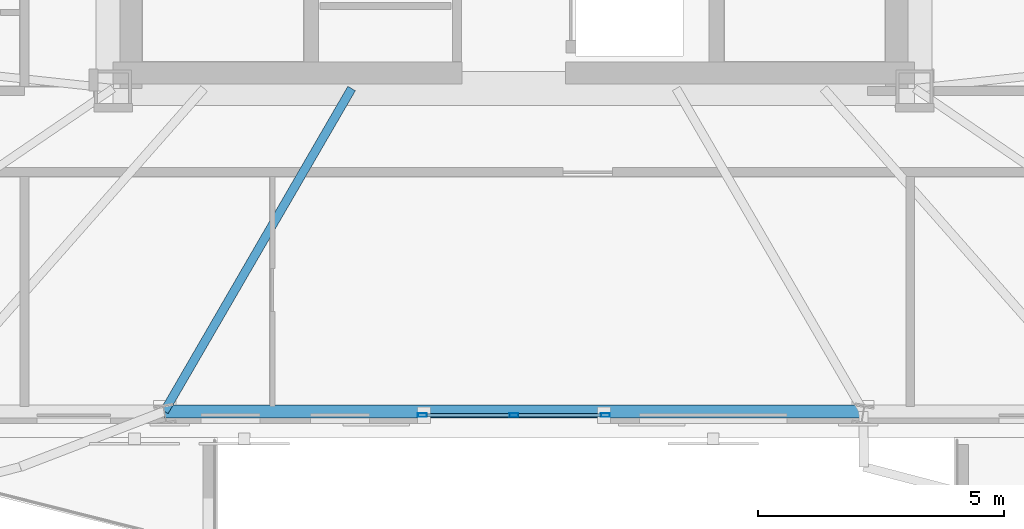
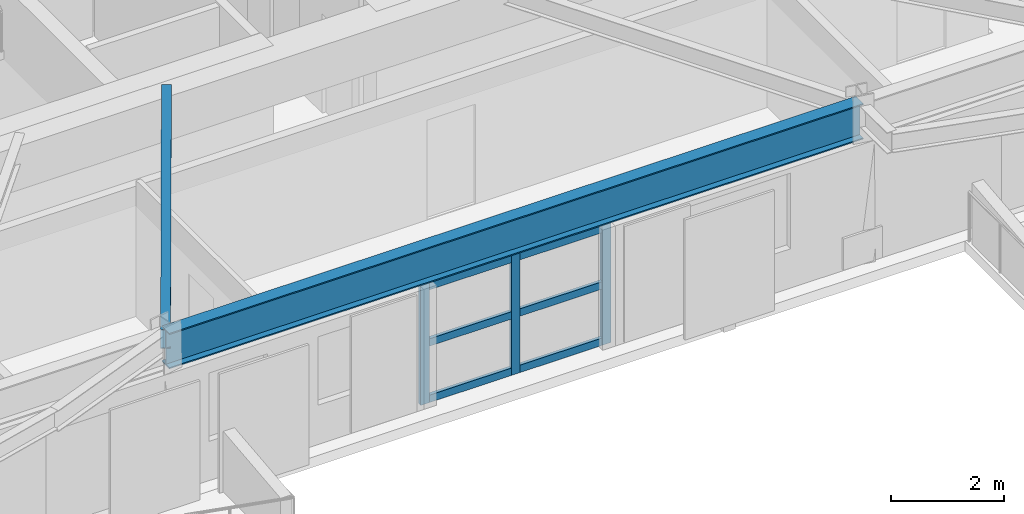
# One storey, part 2 of 14: 9 members, 2 beams, 1 element without a shape of its own.
"""IFC4 building model written with IfcOpenShell, lengths in metres."""

import ifcopenshell
import ifcopenshell.guid

model = None  # the IFC model being written
_history = None  # IfcOwnerHistory: only IFC2X3 demands one
_inside = {}  # id of a spatial element -> (the spatial element, [elements in it])
_under = {}  # id of a project, library or spatial element -> (it, [spatial elements below it])
_declared = {}  # id of a project -> (the project, [libraries it declares])
_typed = {}  # id of a type object -> (the type object, [elements of that type])
_made_of = {}  # id of a material, layer set ... -> (it, [elements and type objects made of it])


def new_model(schema):
    """Start an empty IFC model of exactly this schema.

    Asked for "IFC4X3", IfcOpenShell would pick the latest addendum, in which some entities
    have other attributes; the version numbers below select the first issue.
    IFC2X3 requires an IfcOwnerHistory on every rooted entity: one is made here for all.
    """
    global model, _history
    if schema == "IFC4X3":
        model = ifcopenshell.file(schema_version=(4, 3, 0, 0))
    else:
        model = ifcopenshell.file(schema=schema)
    _inside.clear()
    _under.clear()
    _declared.clear()
    _typed.clear()
    _made_of.clear()
    _history = None
    if model.schema == "IFC2X3":
        org = make("IfcOrganization", Name="unknown")
        user = make(
            "IfcPersonAndOrganization",
            ThePerson=make("IfcPerson", FamilyName="unknown"),
            TheOrganization=org,
        )
        app = make(
            "IfcApplication",
            ApplicationDeveloper=org,
            Version="unknown",
            ApplicationFullName="unknown",
            ApplicationIdentifier="unknown",
        )
        _history = make(
            "IfcOwnerHistory",
            OwningUser=user,
            OwningApplication=app,
            ChangeAction="ADDED",
            CreationDate=0,
        )
    return model


def make(cls, **values):
    """One entity of the class cls with the attributes given. An attribute that is None is left unset."""
    return model.create_entity(
        cls, **{name: value for name, value in values.items() if value is not None}
    )


def rooted(cls, **values):
    """An entity with a GlobalId (a new one), such as an element, a storey or a relation."""
    return make(cls, GlobalId=ifcopenshell.guid.new(), OwnerHistory=_history, **values)


def si_unit(unit_type, name, prefix=None):
    """IfcSIUnit, for example si_unit("LENGTHUNIT", "METRE", prefix="MILLI")."""
    return make("IfcSIUnit", UnitType=unit_type, Prefix=prefix, Name=name)


def assignment(units):
    """IfcUnitAssignment: the units of a project."""
    return None if units is None else make("IfcUnitAssignment", Units=units)


def point(xyz):
    """IfcCartesianPoint."""
    return None if xyz is None else make("IfcCartesianPoint", Coordinates=xyz)


def direction(xyz):
    """IfcDirection."""
    return None if xyz is None else make("IfcDirection", DirectionRatios=xyz)


def frame(location, z_axis=None, x_axis=None):
    """IfcAxis2Placement3D, a coordinate frame: its origin and axes. An axis left out is left unset."""
    return make(
        "IfcAxis2Placement3D",
        Location=point(location),
        Axis=direction(z_axis),
        RefDirection=direction(x_axis),
    )


def frame_2d(location, x_axis=None):
    """IfcAxis2Placement2D, a coordinate frame in the plane: its origin and x axis."""
    return make(
        "IfcAxis2Placement2D", Location=point(location), RefDirection=direction(x_axis)
    )


def origin():
    """The frame at (0, 0, 0) with its axes left unset."""
    return frame((0.0, 0.0, 0.0))


def origin_2d():
    """The frame at (0, 0) in the plane with its x axis left unset."""
    return frame_2d((0.0, 0.0))


def place(relative_to, where):
    """IfcLocalPlacement: puts the frame where relative to a parent placement (None: the world)."""
    return make(
        "IfcLocalPlacement", PlacementRelTo=relative_to, RelativePlacement=where
    )


def context(
    kind, dimensions, precision=None, world=None, true_north=None, identifier=None
):
    """IfcGeometricRepresentationContext, for example the 3D "Model" context."""
    return make(
        "IfcGeometricRepresentationContext",
        ContextIdentifier=identifier,
        ContextType=kind,
        CoordinateSpaceDimension=dimensions,
        Precision=precision,
        WorldCoordinateSystem=world,
        TrueNorth=true_north,
    )


def subcontext(parent, identifier, kind, view, scale=None):
    """IfcGeometricRepresentationSubContext, for example "Body" below "Model"."""
    return make(
        "IfcGeometricRepresentationSubContext",
        ContextIdentifier=identifier,
        ContextType=kind,
        ParentContext=parent,
        TargetScale=scale,
        TargetView=view,
    )


def project(units=None, contexts=None):
    """IfcProject with its units and contexts."""
    return rooted(
        "IfcProject",
        Name="project",
        RepresentationContexts=contexts,
        UnitsInContext=assignment(units),
    )


def spatial(cls, under=None, at=None, **own):
    """A site, building, storey or space (cls), placed at a placement, below another one or the project."""
    s = rooted(cls, ObjectPlacement=at, **own)
    if under is not None:
        _under.setdefault(under.id(), (under, []))[1].append(s)
    return s


def profile(cls, at=None, kind="AREA", **sizes):
    """A parametric profile (cls). Its sizes go by their IFC names, for example OverallWidth=200.0."""
    return make(cls, ProfileType=kind, Position=at, **sizes)


def hollow_rectangle(**sizes):
    """IfcRectangleHollowProfileDef."""
    return profile("IfcRectangleHollowProfileDef", **sizes)


def i_section(**sizes):
    """IfcIShapeProfileDef."""
    return profile("IfcIShapeProfileDef", **sizes)


def extrude(swept, where, along, depth):
    """IfcExtrudedAreaSolid: the profile swept, set in the frame where, extruded along a direction by depth."""
    return make(
        "IfcExtrudedAreaSolid",
        SweptArea=swept,
        Position=where,
        ExtrudedDirection=direction(along),
        Depth=depth,
    )


def shape(context_of_items, identifier, shape_type, items):
    """IfcShapeRepresentation: the items that make up one representation, for example the "Body"."""
    return make(
        "IfcShapeRepresentation",
        ContextOfItems=context_of_items,
        RepresentationIdentifier=identifier,
        RepresentationType=shape_type,
        Items=items,
    )


def material(Name=None, Category=None):
    """IfcMaterial."""
    return make("IfcMaterial", Name=Name, Category=Category)


def layer(
    of_material, thickness, ventilated=None, Name=None, Category=None, Priority=None
):
    """IfcMaterialLayer: one layer of a wall or slab, of a material (None: an air gap)."""
    return make(
        "IfcMaterialLayer",
        Material=of_material,
        LayerThickness=thickness,
        IsVentilated=ventilated,
        Name=Name,
        Category=Category,
        Priority=Priority,
    )


def layer_set(layers, Name=None):
    """IfcMaterialLayerSet."""
    return make("IfcMaterialLayerSet", MaterialLayers=layers, LayerSetName=Name)


def material_profile(
    of_material, cross_section, Name=None, Category=None, Priority=None
):
    """IfcMaterialProfile: a cross section and its material."""
    return make(
        "IfcMaterialProfile",
        Name=Name,
        Material=of_material,
        Profile=cross_section,
        Priority=Priority,
        Category=Category,
    )


def profile_set(profiles, Name=None, composite=None):
    """IfcMaterialProfileSet."""
    return make(
        "IfcMaterialProfileSet",
        Name=Name,
        MaterialProfiles=profiles,
        CompositeProfile=composite,
    )


def made_of(thing, what):
    """Note that an element or type object is made of a material, layer set ...; save() writes the relation."""
    if what is not None:
        _made_of.setdefault(what.id(), (what, []))[1].append(thing)
    return thing


def type_object(cls, material=None, **own):
    """A type object (cls), such as IfcWallType, which elements share."""
    return made_of(rooted(cls, **own), material)


def element(
    cls,
    number,
    at=None,
    inside=None,
    cuts=None,
    type_object=None,
    material=None,
    context=None,
    identifier="Body",
    shape_type=None,
    held_by="IfcProductDefinitionShape",
    body=None,
    shapes=None,
    **own,
):
    """One element of the class cls, such as IfcWall. Its Tag is "e" and its number.

    at: its placement. inside: the storey or other place that contains it. cuts: it is an
    opening in that element (IfcRelVoidsElement). A single representation is given by context,
    identifier, shape_type and body (its items); several are given by shapes. held_by: the class
    of the entity that holds the representations. save() writes the other relations.
    """
    e = rooted(cls, Tag="e%d" % number, ObjectPlacement=at, **own)
    if body is not None:
        shapes = [shape(context, identifier, shape_type, body)]
    if shapes is not None:
        e.Representation = make(held_by, Representations=shapes)
    if inside is not None:
        _inside.setdefault(inside.id(), (inside, []))[1].append(e)
    if cuts is not None:
        rooted(
            "IfcRelVoidsElement", RelatingBuildingElement=cuts, RelatedOpeningElement=e
        )
    if type_object is not None:
        _typed.setdefault(type_object.id(), (type_object, []))[1].append(e)
    return made_of(e, material)


def aggregate(whole, parts):
    """IfcRelAggregates: a whole, such as a stair, and the parts it consists of."""
    return rooted("IfcRelAggregates", RelatingObject=whole, RelatedObjects=parts)


def save(model, path):
    """Write the relations noted so far, then the file.

    IfcRelAggregates (storeys below a building ...), IfcRelContainedInSpatialStructure (elements
    in a storey), IfcRelDefinesByType, IfcRelAssociatesMaterial and IfcRelDeclares: one each for
    every whole, place, type object, material and project.
    """
    for whole, parts in _under.values():
        aggregate(whole, parts)
    for where, things in _inside.values():
        rooted(
            "IfcRelContainedInSpatialStructure",
            RelatedElements=things,
            RelatingStructure=where,
        )
    for kind, things in _typed.values():
        rooted("IfcRelDefinesByType", RelatedObjects=things, RelatingType=kind)
    for what, things in _made_of.values():
        rooted("IfcRelAssociatesMaterial", RelatedObjects=things, RelatingMaterial=what)
    for by, libraries in _declared.values():
        rooted("IfcRelDeclares", RelatingContext=by, RelatedDefinitions=libraries)
    model.write(path)


model = new_model("IFC4")

# Units and contexts
model_context = context("Model", 3, precision=1e-05, world=origin(), true_north=direction((0.0, 1.0)))
body_context = subcontext(model_context, "Body", "Model", "MODEL_VIEW")
ifc_project = project(units=[si_unit("LENGTHUNIT", "METRE"), si_unit("AREAUNIT", "SQUARE_METRE"), si_unit("VOLUMEUNIT", "CUBIC_METRE"), si_unit("PLANEANGLEUNIT", "RADIAN"), si_unit("MASSUNIT", "GRAM", prefix="KILO")], contexts=[model_context])

# Site, building, storey
site_placement = place(None, origin())
site = spatial("IfcSite", under=ifc_project, at=site_placement, CompositionType="ELEMENT")
building_placement = place(site_placement, origin())
building = spatial("IfcBuilding", under=site, at=building_placement, Name="Oramaril Tower", CompositionType="ELEMENT")
storey_placement = place(building_placement, frame((0.0, 0.0, 149.39990234375)))
storey = spatial("IfcBuildingStorey", under=building, at=storey_placement, Name="L39", CompositionType="ELEMENT", Elevation=149.39990234375)

# Beams
ifc_material_1 = material(Name="Steel ASTM A572 Gr 50", Category="steel")
ifc_material_profile_1 = material_profile(ifc_material_1, i_section(OverallWidth=0.177978515625, OverallDepth=0.404052734375, WebThickness=0.007568359375, FlangeThickness=0.010986328125, at=origin_2d()), Name="W16X36")
ifc_profile_set_1 = profile_set([ifc_material_profile_1], Name="Steel ASTM A572 Gr 50")
beam_type_1 = type_object("IfcBeamType", Name="BT-SB1", PredefinedType="BEAM", material=ifc_profile_set_1)
beam_1_placement = place(storey_placement, frame((34.199951171875, 11.0, 3.177978515625), z_axis=(-0.501681505075, -0.865052407352, 0.0), x_axis=(0.865052407352, -0.501681505075, 0.0)))
element("IfcBeam", 1, at=beam_1_placement, inside=storey, type_object=beam_type_1, Name="L39 Secondary Floor Beam SB-02", PredefinedType="BEAM", context=body_context, shape_type="SweptSolid", body=[
    extrude(i_section(OverallWidth=0.177978515625, OverallDepth=0.404052734375, WebThickness=0.007568359375, FlangeThickness=0.010986328125, at=origin_2d()), origin(), (0.0, 0.0, 1.0), 7.590087890625),
])
ifc_material_2 = material(Name="Steel ASTM A572 Gr 50", Category="steel")
ifc_material_profile_2 = material_profile(ifc_material_2, i_section(OverallWidth=0.26708984375, OverallDepth=0.77001953125, WebThickness=0.015625, FlangeThickness=0.025390625, at=origin_2d()), Name="W30X132")
ifc_profile_set_2 = profile_set([ifc_material_profile_2], Name="Steel ASTM A572 Gr 50")
beam_type_2 = type_object("IfcBeamType", Name="BT-SP3", PredefinedType="SPANDREL", material=ifc_profile_set_2)
beam_2_placement = place(storey_placement, frame((30.39208984375, 4.43408203125, 2.9951171875), z_axis=(1.0, 0.0, 0.0), x_axis=(0.0, 1.0, 0.0)))
element("IfcBeam", 2, at=beam_2_placement, inside=storey, type_object=beam_type_2, Name="L39 Perimeter Spandrel 04", PredefinedType="SPANDREL", context=body_context, shape_type="SweptSolid", body=[
    extrude(i_section(OverallWidth=0.26708984375, OverallDepth=0.77001953125, WebThickness=0.015625, FlangeThickness=0.025390625, at=origin_2d()), origin(), (0.0, 0.0, 1.0), 14.2158203125),
])

# Curtain wall, members
ifc_material_3 = material(Name="Anodised Aluminium 6063-T6", Category="aluminium")
ifc_layer = layer(ifc_material_3, 0.179931640625)
ifc_layer_set = layer_set([ifc_layer], Name="CWT-SYS3")
curtain_wall_type = type_object("IfcCurtainWallType", Name="CWT-SYS3", PredefinedType="NOTDEFINED", material=ifc_layer_set)
curtain_wall_placement = place(storey_placement, origin())
curtain_wall = element("IfcCurtainWall", 3, at=curtain_wall_placement, inside=storey, type_object=curtain_wall_type, Name="L39 Unitised Curtain Wall CW-3", PredefinedType="NOTDEFINED")
ifc_material_4 = material(Name="Anodised Aluminium 6063-T6", Category="aluminium")
ifc_material_profile_3 = material_profile(ifc_material_4, hollow_rectangle(XDim=0.070068359375, YDim=0.179931640625, WallThickness=0.00390625, at=origin_2d()), Name="CWM180X70")
ifc_profile_set_3 = profile_set([ifc_material_profile_3], Name="Anodised Aluminium 6063-T6")
member_type_1 = type_object("IfcMemberType", Name="MT-CWM2", PredefinedType="MULLION", material=ifc_profile_set_3)
member_1_placement = place(storey_placement, frame((35.639892578125, 4.356689453125, 0.0), z_axis=(0.0, 0.0, 1.0), x_axis=(0.0, 1.0, 0.0)))
member_1 = element("IfcMember", 4, at=member_1_placement, type_object=member_type_1, Name="CW-3 mullion 1", PredefinedType="MULLION", context=body_context, shape_type="SweptSolid", body=[
    extrude(hollow_rectangle(XDim=0.070068359375, YDim=0.179931640625, WallThickness=0.00390625, at=origin_2d()), origin(), (0.0, 0.0, 1.0), 2.60009765625),
])
member_2_placement = place(storey_placement, frame((37.5, 4.356689453125, 0.0), z_axis=(0.0, 0.0, 1.0), x_axis=(0.0, 1.0, 0.0)))
member_2 = element("IfcMember", 5, at=member_2_placement, type_object=member_type_1, Name="CW-3 mullion 2", PredefinedType="MULLION", context=body_context, shape_type="SweptSolid", body=[
    extrude(hollow_rectangle(XDim=0.070068359375, YDim=0.179931640625, WallThickness=0.00390625, at=origin_2d()), origin(), (0.0, 0.0, 1.0), 2.60009765625),
])
member_3_placement = place(storey_placement, frame((39.360107421875, 4.356689453125, 0.0), z_axis=(0.0, 0.0, 1.0), x_axis=(0.0, 1.0, 0.0)))
member_3 = element("IfcMember", 6, at=member_3_placement, type_object=member_type_1, Name="CW-3 mullion 3", PredefinedType="MULLION", context=body_context, shape_type="SweptSolid", body=[
    extrude(hollow_rectangle(XDim=0.070068359375, YDim=0.179931640625, WallThickness=0.00390625, at=origin_2d()), origin(), (0.0, 0.0, 1.0), 2.60009765625),
])
ifc_material_5 = material(Name="Anodised Aluminium 6063-T6", Category="aluminium")
ifc_material_profile_4 = material_profile(ifc_material_5, hollow_rectangle(XDim=0.070068359375, YDim=0.159912109375, WallThickness=0.00390625, at=origin_2d()), Name="CWT160X70")
ifc_profile_set_4 = profile_set([ifc_material_profile_4], Name="Anodised Aluminium 6063-T6")
member_type_2 = type_object("IfcMemberType", Name="MT-CWT1", PredefinedType="USERDEFINED", material=ifc_profile_set_4)
member_4_placement = place(storey_placement, frame((35.72998046875, 4.356689453125, 0.080078125), z_axis=(1.0, 0.0, 0.0), x_axis=(0.0, 1.0, 0.0)))
member_4 = element("IfcMember", 7, at=member_4_placement, type_object=member_type_2, Name="CW-3 transom 1.1", ObjectType="TRANSOM", PredefinedType="USERDEFINED", context=body_context, shape_type="SweptSolid", body=[
    extrude(hollow_rectangle(XDim=0.070068359375, YDim=0.159912109375, WallThickness=0.00390625, at=origin_2d()), origin(), (0.0, 0.0, 1.0), 1.679931640625),
])
member_5_placement = place(storey_placement, frame((35.72998046875, 4.356689453125, 1.300048828125), z_axis=(1.0, 0.0, 0.0), x_axis=(0.0, 1.0, 0.0)))
member_5 = element("IfcMember", 8, at=member_5_placement, type_object=member_type_2, Name="CW-3 transom 1.2", ObjectType="TRANSOM", PredefinedType="USERDEFINED", context=body_context, shape_type="SweptSolid", body=[
    extrude(hollow_rectangle(XDim=0.070068359375, YDim=0.159912109375, WallThickness=0.00390625, at=origin_2d()), origin(), (0.0, 0.0, 1.0), 1.679931640625),
])
member_6_placement = place(storey_placement, frame((35.72998046875, 4.356689453125, 2.52001953125), z_axis=(1.0, 0.0, 0.0), x_axis=(0.0, 1.0, 0.0)))
member_6 = element("IfcMember", 9, at=member_6_placement, type_object=member_type_2, Name="CW-3 transom 1.3", ObjectType="TRANSOM", PredefinedType="USERDEFINED", context=body_context, shape_type="SweptSolid", body=[
    extrude(hollow_rectangle(XDim=0.070068359375, YDim=0.159912109375, WallThickness=0.00390625, at=origin_2d()), origin(), (0.0, 0.0, 1.0), 1.679931640625),
])
member_7_placement = place(storey_placement, frame((37.590087890625, 4.356689453125, 0.080078125), z_axis=(1.0, 0.0, 0.0), x_axis=(0.0, 1.0, 0.0)))
member_7 = element("IfcMember", 10, at=member_7_placement, type_object=member_type_2, Name="CW-3 transom 2.1", ObjectType="TRANSOM", PredefinedType="USERDEFINED", context=body_context, shape_type="SweptSolid", body=[
    extrude(hollow_rectangle(XDim=0.070068359375, YDim=0.159912109375, WallThickness=0.00390625, at=origin_2d()), origin(), (0.0, 0.0, 1.0), 1.679931640625),
])
member_8_placement = place(storey_placement, frame((37.590087890625, 4.356689453125, 1.300048828125), z_axis=(1.0, 0.0, 0.0), x_axis=(0.0, 1.0, 0.0)))
member_8 = element("IfcMember", 11, at=member_8_placement, type_object=member_type_2, Name="CW-3 transom 2.2", ObjectType="TRANSOM", PredefinedType="USERDEFINED", context=body_context, shape_type="SweptSolid", body=[
    extrude(hollow_rectangle(XDim=0.070068359375, YDim=0.159912109375, WallThickness=0.00390625, at=origin_2d()), origin(), (0.0, 0.0, 1.0), 1.679931640625),
])
member_9_placement = place(storey_placement, frame((37.590087890625, 4.356689453125, 2.52001953125), z_axis=(1.0, 0.0, 0.0), x_axis=(0.0, 1.0, 0.0)))
member_9 = element("IfcMember", 12, at=member_9_placement, type_object=member_type_2, Name="CW-3 transom 2.3", ObjectType="TRANSOM", PredefinedType="USERDEFINED", context=body_context, shape_type="SweptSolid", body=[
    extrude(hollow_rectangle(XDim=0.070068359375, YDim=0.159912109375, WallThickness=0.00390625, at=origin_2d()), origin(), (0.0, 0.0, 1.0), 1.679931640625),
])
aggregate(curtain_wall, [member_1, member_2, member_3, member_4, member_5, member_6, member_7, member_8, member_9])

save(model, "model.ifc")
